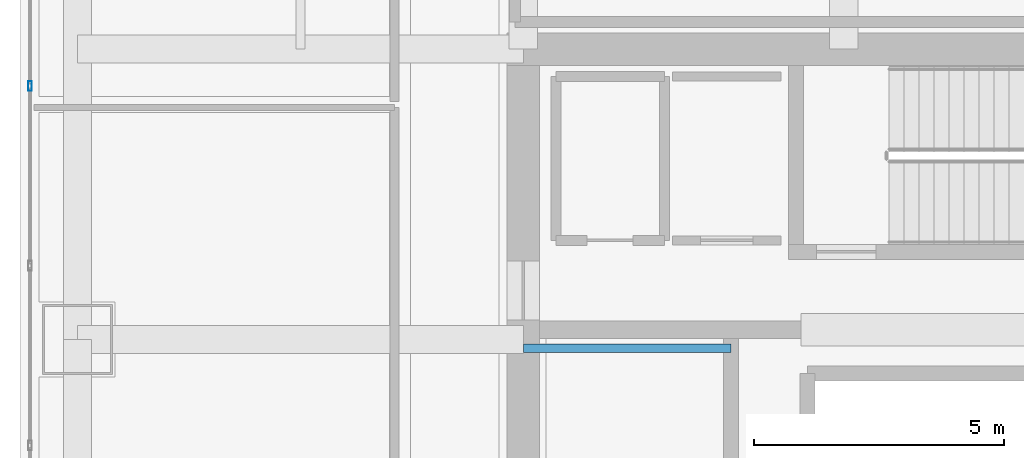
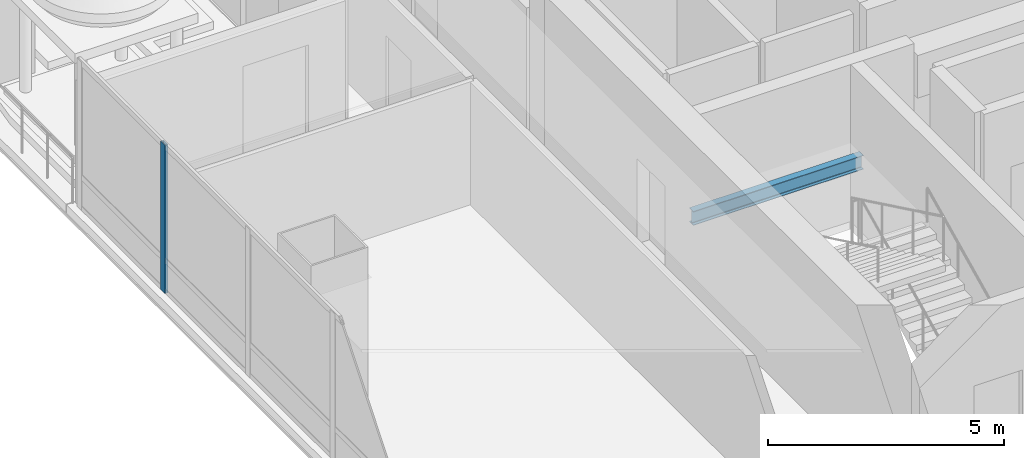
# One storey, part 10 of 41: 1 beam, 1 member, 1 element without a shape of its own.
"""IFC4 building model written with IfcOpenShell, lengths in metres."""

from ifc_helpers import new_model, si_unit, direction, frame, origin, origin_2d, place, context, subcontext, project, spatial, hollow_rectangle, i_section, extrude, material, material_profile, profile_set, type_object, element, aggregate, save


model = new_model("IFC4")

# Units and contexts
model_context = context("Model", 3, precision=1e-05, world=origin(), true_north=direction((0.0, 1.0)))
body_context = subcontext(model_context, "Body", "Model", "MODEL_VIEW")
ifc_project = project(units=[si_unit("LENGTHUNIT", "METRE"), si_unit("AREAUNIT", "SQUARE_METRE"), si_unit("VOLUMEUNIT", "CUBIC_METRE"), si_unit("PLANEANGLEUNIT", "RADIAN"), si_unit("MASSUNIT", "GRAM", prefix="KILO")], contexts=[model_context])

# Site, building, storey
site_placement = place(None, origin())
site = spatial("IfcSite", under=ifc_project, at=site_placement, CompositionType="ELEMENT")
building_placement = place(site_placement, origin())
building = spatial("IfcBuilding", under=site, at=building_placement, Name="Punatoya Terracotta Tower", CompositionType="ELEMENT")
storey_placement = place(building_placement, frame((0.0, 0.0, 220.800048828125)))
storey = spatial("IfcBuildingStorey", under=building, at=storey_placement, Name="L52", CompositionType="ELEMENT", Elevation=220.800048828125)

# Beam
ifc_material_1 = material(Name="Steel S355", Category="steel")
ifc_material_profile_1 = material_profile(ifc_material_1, i_section(OverallWidth=0.169921875, OverallDepth=0.360107421875, WebThickness=0.008056640625, FlangeThickness=0.0126953125, FilletRadius=0.01806640625, at=origin_2d()))
ifc_profile_set_1 = profile_set([ifc_material_profile_1], Name="Steel S355")
beam_type = type_object("IfcBeamType", Name="BM-SEC-360", PredefinedType="JOIST", material=ifc_profile_set_1)
beam_placement = place(storey_placement, frame((-10.199951171875, 3.22998046875, 1.64501953125), z_axis=(1.0, 0.0, 0.0), x_axis=(0.0, 1.0, 0.0)))
element("IfcBeam", 1, at=beam_placement, inside=storey, type_object=beam_type, Name="BM-L52-ST-1-LD1B", PredefinedType="JOIST", context=body_context, shape_type="SweptSolid", body=[
    extrude(i_section(OverallWidth=0.169921875, OverallDepth=0.360107421875, WebThickness=0.008056640625, FlangeThickness=0.0126953125, FilletRadius=0.01806640625, at=origin_2d()), origin(), (0.0, 0.0, 1.0), 4.14990234375),
])

# Curtain wall, member
ifc_material_2 = material(Name="Aluminium 6063-T6 + Double Low-E Glass", Category="aluminium")
curtain_wall_type = type_object("IfcCurtainWallType", Name="CW-M2", PredefinedType="NOTDEFINED", material=ifc_material_2)
curtain_wall_placement = place(storey_placement, origin())
curtain_wall = element("IfcCurtainWall", 2, at=curtain_wall_placement, inside=storey, type_object=curtain_wall_type, Name="L52 Curtain Wall CW-L52-W11-1", PredefinedType="NOTDEFINED")
ifc_material_3 = material(Name="Aluminium 6063-T6", Category="aluminium")
ifc_material_profile_2 = material_profile(ifc_material_3, hollow_rectangle(XDim=0.072021484375, YDim=0.195068359375, WallThickness=0.00439453125, at=origin_2d()))
ifc_profile_set_2 = profile_set([ifc_material_profile_2], Name="Aluminium 6063-T6")
member_type = type_object("IfcMemberType", Name="CW-MUL-M2", PredefinedType="MULLION", material=ifc_profile_set_2)
member_placement = place(storey_placement, frame((-20.050048828125, 8.462646484375, 0.0), z_axis=(0.0, 0.0, 1.0), x_axis=(1.0, 0.0, 0.0)))
member = element("IfcMember", 3, at=member_placement, type_object=member_type, Name="CW-L52-W11-1 Mullion 01", PredefinedType="MULLION", context=body_context, shape_type="SweptSolid", body=[
    extrude(hollow_rectangle(XDim=0.072021484375, YDim=0.195068359375, WallThickness=0.00439453125, at=origin_2d()), origin(), (0.0, 0.0, 1.0), 3.829833984375),
])
aggregate(curtain_wall, [member])

save(model, "model.ifc")
